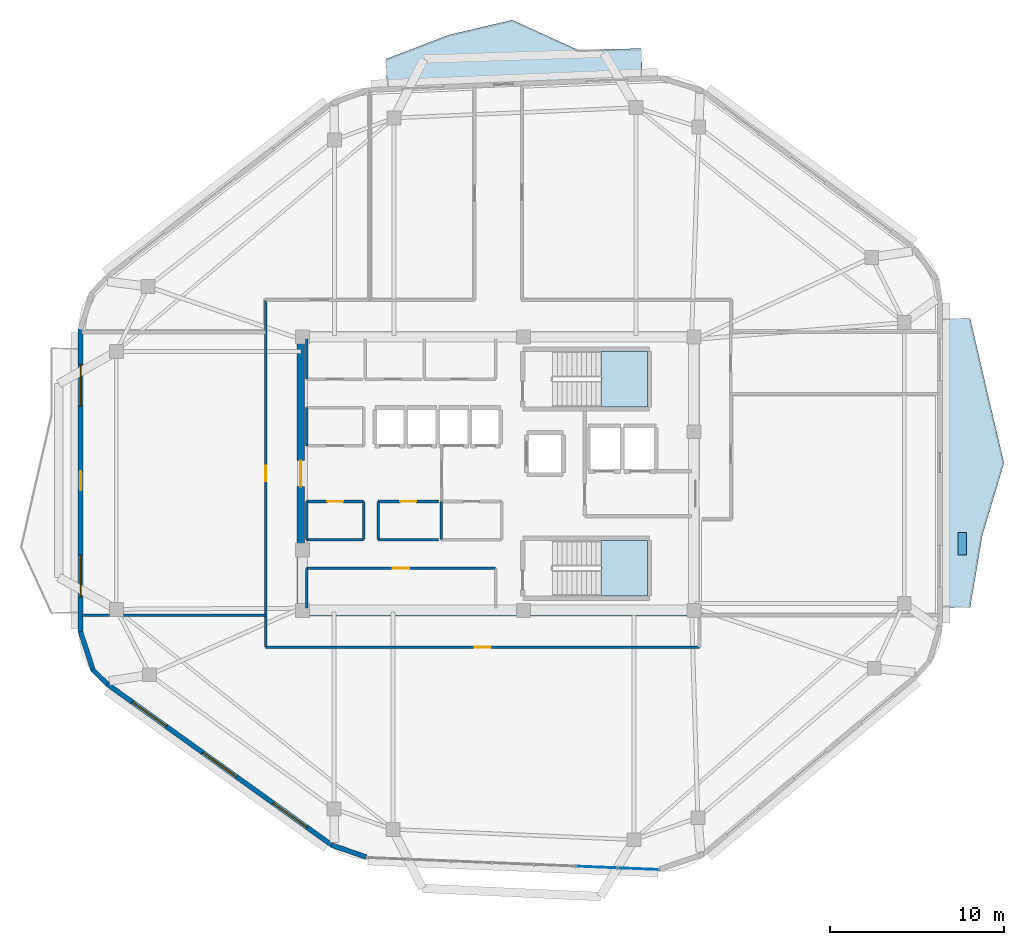
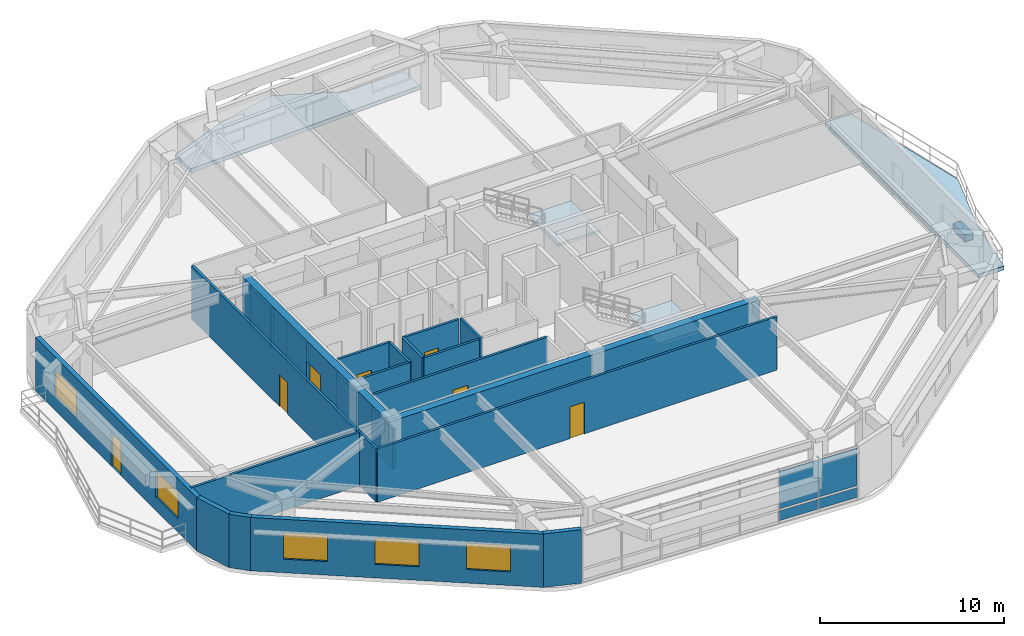
# One storey, part 7 of 13: 22 walls, 7 doors, 5 plates, 5 windows, 4 slabs, 12 openings, 3 elements without a shape of their own.
"""IFC4 building model written with IfcOpenShell, lengths in metres."""

from ifc_helpers import new_model, si_unit, direction, frame, frame_2d, origin, origin_2d, place, context, subcontext, project, spatial, polyline, rectangle, outline, extrude, material, layer, layer_set, type_object, element, fill, aggregate, save


model = new_model("IFC4")

# Units and contexts
model_context = context("Model", 3, precision=1e-05, world=origin(), true_north=direction((0.0, 1.0)))
body_context = subcontext(model_context, "Body", "Model", "MODEL_VIEW")
ifc_project = project(units=[si_unit("LENGTHUNIT", "METRE"), si_unit("AREAUNIT", "SQUARE_METRE"), si_unit("VOLUMEUNIT", "CUBIC_METRE"), si_unit("PLANEANGLEUNIT", "RADIAN"), si_unit("MASSUNIT", "GRAM", prefix="KILO")], contexts=[model_context])

# Site, building, storey
site_placement = place(None, origin())
site = spatial("IfcSite", under=ifc_project, at=site_placement, CompositionType="ELEMENT")
building_placement = place(site_placement, origin())
building = spatial("IfcBuilding", under=site, at=building_placement, Name="Zulverin Broadcast Headquarters", CompositionType="ELEMENT")
storey_placement = place(building_placement, frame((0.0, 0.0, 278.199951171875)))
storey = spatial("IfcBuildingStorey", under=building, at=storey_placement, Name="L71", CompositionType="ELEMENT", Elevation=278.199951171875)

# Curtain wall, plates
ifc_material_1 = material(Name="High-zone solar-control unitised curtain wall", Category="aluminium")
curtain_wall_type = type_object("IfcCurtainWallType", Name="CW-TWR-UPP", PredefinedType="USERDEFINED", material=ifc_material_1)
curtain_wall_placement = place(storey_placement, origin())
curtain_wall = element("IfcCurtainWall", 1, at=curtain_wall_placement, inside=storey, type_object=curtain_wall_type, Name="L71 Unitised Curtain Wall CW-L71-E1", ObjectType="UNITISED CURTAIN WALL", PredefinedType="USERDEFINED")
ifc_material_2 = material(Name="Low-E double-glazed pale-silver vision glass", Category="glass")
ifc_layer_1 = layer(ifc_material_2, 0.035888671875, Name="Low-E double-glazed pale-silver vision glass", Category="glass")
ifc_layer_set_1 = layer_set([ifc_layer_1], Name="Low-E double-glazed pale-silver vision glass")
plate_type_1 = type_object("IfcPlateType", Name="CW-PNL-GLZ", PredefinedType="CURTAIN_PANEL", material=ifc_layer_set_1)
plate_1_placement = place(storey_placement, frame((42.67626953125, 2.52880859375, 0.914794921875), z_axis=(0.0, 0.0, 1.0), x_axis=(0.99915627139, -0.041070005388, 0.0)))
plate_1 = element("IfcPlate", 2, at=plate_1_placement, type_object=plate_type_1, Name="CW-L71-E1 Vision Panel 05", PredefinedType="CURTAIN_PANEL", context=body_context, shape_type="SweptSolid", body=[
    extrude(rectangle(XDim=2.370849609375, YDim=0.035888671875, at=origin_2d()), origin(), (0.0, 0.0, 1.0), 2.4853515625),
])
plate_2_placement = place(storey_placement, frame((45.0849609375, 2.4296875, 0.914794921875), z_axis=(0.0, 0.0, 1.0), x_axis=(0.99915627139, -0.041070005388, 0.0)))
plate_2 = element("IfcPlate", 3, at=plate_2_placement, type_object=plate_type_1, Name="CW-L71-E1 Vision Panel 06", PredefinedType="CURTAIN_PANEL", context=body_context, shape_type="SweptSolid", body=[
    extrude(rectangle(XDim=2.370849609375, YDim=0.035888671875, at=origin_2d()), origin(), (0.0, 0.0, 1.0), 2.4853515625),
])
ifc_material_3 = material(Name="Insulated brushed pale-aluminium spandrel cassette", Category="aluminium")
ifc_layer_2 = layer(ifc_material_3, 0.050048828125, Name="Insulated brushed pale-aluminium spandrel cassette", Category="aluminium")
ifc_layer_set_2 = layer_set([ifc_layer_2], Name="Insulated brushed pale-aluminium spandrel cassette")
plate_type_2 = type_object("IfcPlateType", Name="CW-PNL-SPN", PredefinedType="CURTAIN_PANEL", material=ifc_layer_set_2)
plate_3_placement = place(storey_placement, frame((42.67626953125, 2.52880859375, 0.14013671875), z_axis=(0.0, 0.0, 1.0), x_axis=(0.99915627139, -0.041070005388, 0.0)))
plate_3 = element("IfcPlate", 4, at=plate_3_placement, type_object=plate_type_2, Name="CW-L71-E1 Spandrel Cassette 05", PredefinedType="CURTAIN_PANEL", context=body_context, shape_type="SweptSolid", body=[
    extrude(rectangle(XDim=2.370849609375, YDim=0.050048828125, at=origin_2d()), origin(), (0.0, 0.0, 1.0), 0.64453125),
])
plate_4_placement = place(storey_placement, frame((45.0849609375, 2.4296875, 0.14013671875), z_axis=(0.0, 0.0, 1.0), x_axis=(0.99915627139, -0.041070005388, 0.0)))
plate_4 = element("IfcPlate", 5, at=plate_4_placement, type_object=plate_type_2, Name="CW-L71-E1 Spandrel Cassette 06", PredefinedType="CURTAIN_PANEL", context=body_context, shape_type="SweptSolid", body=[
    extrude(rectangle(XDim=2.370849609375, YDim=0.050048828125, at=origin_2d()), origin(), (0.0, 0.0, 1.0), 0.64453125),
])
aggregate(curtain_wall, [plate_3, plate_1, plate_4, plate_2])

# Plate
ifc_material_4 = material(Name="Precast concrete C45/55", Category="concrete")
ifc_layer_3 = layer(ifc_material_4, 0.449951171875, Name="Precast concrete C45/55", Category="concrete")
ifc_layer_set_3 = layer_set([ifc_layer_3], Name="Precast concrete C45/55")
plate_type_3 = type_object("IfcPlateType", Name="PT-01_PRECAST_GFRC_TREE_PLANTER", PredefinedType="USERDEFINED", material=ifc_layer_set_3)
plate_5_placement = place(storey_placement, frame((63.75, 21.159423828125, -0.0048828125), z_axis=(0.0, 0.0, 1.0), x_axis=(0.0, 1.0, 0.0)))
element("IfcPlate", 6, at=plate_5_placement, inside=storey, type_object=plate_type_3, Name="L71 Precast GFRC Tree Planter BAL_E", ObjectType="PLANTER", PredefinedType="USERDEFINED", context=body_context, shape_type="SweptSolid", body=[
    extrude(rectangle(XDim=1.300048828125, YDim=0.5, at=origin_2d()), origin(), (0.0, 0.0, 1.0), 0.449951171875),
])

# Slabs
ifc_material_5 = material(Name="Concrete C40/50", Category="concrete")
ifc_layer_4 = layer(ifc_material_5, 0.260009765625, Name="Concrete C40/50", Category="concrete")
ifc_layer_set_4 = layer_set([ifc_layer_4], Name="Concrete C40/50")
slab_type_1 = type_object("IfcSlabType", Name="SLB-BAL-260", PredefinedType="FLOOR", material=ifc_layer_set_4)
slab_1_placement = place(storey_placement, frame((0.0, 0.0, -0.260009765625)))
element("IfcSlab", 7, at=slab_1_placement, inside=storey, type_object=slab_type_1, Name="L71 Cantilevered Planted Balcony Slab BAL_E", PredefinedType="FLOOR", context=body_context, shape_type="SweptSolid", body=[
    extrude(outline(polyline([(62.60009765625, 34.150146484375), (62.60009765625, 17.49560546875), (64.199951171875, 17.49560546875), (64.904052734375, 21.6591796875), (66.14990234375, 25.82275390625), (65.166748046875, 29.986328125), (64.199951171875, 34.150146484375), (62.60009765625, 34.150146484375)])), origin(), (0.0, 0.0, 1.0), 0.260009765625),
])
slab_2_placement = place(storey_placement, frame((0.0, 0.0, -0.260009765625)))
element("IfcSlab", 8, at=slab_2_placement, inside=storey, type_object=slab_type_1, Name="L71 Cantilevered Planted Balcony Slab BAL_N", PredefinedType="FLOOR", context=body_context, shape_type="SweptSolid", body=[
    extrude(outline(polyline([(30.598388671875, 47.4951171875), (45.308837890625, 48.099609375), (45.2431640625, 49.6982421875), (41.56201171875, 49.636474609375), (37.807861328125, 51.34423828125), (34.1591796875, 50.482421875), (30.532470703125, 49.093505859375), (30.598388671875, 47.4951171875)])), origin(), (0.0, 0.0, 1.0), 0.260009765625),
])

# Stair, slab
stair_type = type_object("IfcStairType", Name="ST-CORE-1500", PredefinedType="HALF_TURN_STAIR", material=ifc_material_5)
stair_1_placement = place(storey_placement, origin())
stair_1 = element("IfcStair", 9, at=stair_1_placement, inside=storey, type_object=stair_type, Name="L71 Core Exit Stair ST-1", PredefinedType="HALF_TURN_STAIR")
ifc_layer_5 = layer(ifc_material_5, 0.199951171875, Name="Concrete C40/50", Category="concrete")
ifc_layer_set_5 = layer_set([ifc_layer_5], Name="Concrete C40/50")
slab_type_2 = type_object("IfcSlabType", Name="SLB-ST-LND200", PredefinedType="LANDING", material=ifc_layer_set_5)
slab_3_placement = place(storey_placement, frame((0.0, 0.0, 1.699951171875)))
slab_3 = element("IfcSlab", 10, at=slab_3_placement, type_object=slab_type_2, Name="ST-1 landing 1", PredefinedType="LANDING", context=body_context, shape_type="SweptSolid", body=[
    extrude(outline(polyline([(42.929931640625, 29.050048828125), (45.60009765625, 29.050048828125), (45.60009765625, 32.25), (42.929931640625, 32.25), (42.929931640625, 29.050048828125)])), origin(), (0.0, 0.0, 1.0), 0.2001953125),
])
aggregate(stair_1, [slab_3])

stair_2_placement = place(storey_placement, origin())
stair_2 = element("IfcStair", 11, at=stair_2_placement, inside=storey, type_object=stair_type, Name="L71 Core Exit Stair ST-2", PredefinedType="HALF_TURN_STAIR")
slab_4_placement = place(storey_placement, frame((0.0, 0.0, 1.699951171875)))
slab_4 = element("IfcSlab", 12, at=slab_4_placement, type_object=slab_type_2, Name="ST-2 landing 1", PredefinedType="LANDING", context=body_context, shape_type="SweptSolid", body=[
    extrude(outline(polyline([(42.929931640625, 18.14990234375), (45.60009765625, 18.14990234375), (45.60009765625, 21.35009765625), (42.929931640625, 21.35009765625), (42.929931640625, 18.14990234375)])), origin(), (0.0, 0.0, 1.0), 0.2001953125),
])
aggregate(stair_2, [slab_4])

# Wall
ifc_material_6 = material(Name="Concrete C50/60", Category="concrete")
ifc_layer_6 = layer(ifc_material_6, 0.449951171875, Name="Concrete C50/60", Category="concrete")
ifc_layer_set_6 = layer_set([ifc_layer_6], Name="Concrete C50/60")
wall_type_1 = type_object("IfcWallType", Name="WL-CORE-450", PredefinedType="SHEAR", material=ifc_layer_set_6)
wall_1_placement = place(storey_placement, frame((25.39990234375, 17.22509765625, 0.0), z_axis=(0.0, 0.0, 1.0), x_axis=(1.0, 0.0, 0.0)))
element("IfcWall", 13, at=wall_1_placement, inside=storey, type_object=wall_type_1, Name="L71 Core South Shear Wall", PredefinedType="SHEAR", context=body_context, shape_type="SweptSolid", body=[
    extrude(rectangle(XDim=23.2001953125, YDim=0.449951171875, at=frame_2d((11.60009765625, 0.0))), origin(), (0.0, 0.0, 1.0), 3.5400390625),
])

# Wall, opening, door
wall_2_placement = place(storey_placement, frame((25.625, 17.449951171875, 0.0), z_axis=(0.0, 0.0, 1.0), x_axis=(0.0, 1.0, 0.0)))
wall_2 = element("IfcWall", 14, at=wall_2_placement, inside=storey, type_object=wall_type_1, Name="L71 Core West Shear Wall", PredefinedType="SHEAR", context=body_context, shape_type="SweptSolid", body=[
    extrude(rectangle(XDim=15.5, YDim=0.449951171875, at=frame_2d((7.75, 0.0))), origin(), (0.0, 0.0, 1.0), 3.5400390625),
])
opening_1_placement = place(wall_2_placement, frame((7.0, 0.0, 0.0)))
opening_1 = element("IfcOpeningElement", 15, at=opening_1_placement, cuts=wall_2, Name="Opening D-L71-CW1", PredefinedType="OPENING", context=body_context, shape_type="SweptSolid", body=[
    extrude(rectangle(XDim=1.5, YDim=2.14990234375, at=frame_2d((0.75, 1.074951171875))), frame((0.0, 0.23486328125, 0.0), z_axis=(0.0, -1.0, 0.0), x_axis=(1.0, 0.0, 0.0)), (0.0, 0.0, 1.0), 0.469970703125),
])
ifc_material_7 = material(Name="Fire-rated glazed steel frame", Category="steel")
door_type_1 = type_object("IfcDoorType", Name="DR-COR-1500", OperationType="DOUBLE_DOOR_SINGLE_SWING", PredefinedType="DOOR", material=ifc_material_7)
door_1_placement = place(opening_1_placement, origin())
door_1 = element("IfcDoor", 16, at=door_1_placement, inside=storey, type_object=door_type_1, Name="L71 Central Lift Lobby West Portal Door", OperationType="DOUBLE_DOOR_SINGLE_SWING", OverallHeight=2.14990234375, OverallWidth=1.5, PredefinedType="DOOR", context=body_context, shape_type="SweptSolid", body=[
    extrude(rectangle(XDim=1.5, YDim=2.14990234375, at=frame_2d((0.75, 1.074951171875))), frame((0.0, 0.02490234375, 0.0), z_axis=(0.0, -1.0, 0.0), x_axis=(1.0, 0.0, 0.0)), (0.0, 0.0, 1.0), 0.050048828125),
])
fill(opening_1, door_1)

# Wall, openings, door, windows
ifc_material_8 = material(Name="Insulated pale-metal clad concrete spandrel C40/50", Category="concrete")
ifc_layer_7 = layer(ifc_material_8, 0.280029296875, Name="Insulated pale-metal clad concrete spandrel C40/50", Category="concrete")
ifc_layer_set_7 = layer_set([ifc_layer_7], Name="Insulated pale-metal clad concrete spandrel C40/50")
wall_type_2 = type_object("IfcWallType", Name="WL-EXT-280", PredefinedType="STANDARD", material=ifc_layer_set_7)
wall_3_placement = place(storey_placement, frame((12.93994140625, 33.548095703125, 0.0), z_axis=(0.0, 0.0, 1.0), x_axis=(0.0, -1.0, 0.0)))
wall_3 = element("IfcWall", 17, at=wall_3_placement, inside=storey, type_object=wall_type_2, Name="L71 Pale-Metal Clad Spandrel Wall 7", PredefinedType="STANDARD", context=body_context, shape_type="SweptSolid", body=[
    extrude(rectangle(XDim=17.496337890625, YDim=0.280029296875, at=frame_2d((8.748046875, 0.0))), origin(), (0.0, 0.0, 1.0), 3.5400390625),
])
opening_2_placement = place(wall_3_placement, frame((8.1982421875, 0.0, 0.0)))
opening_2 = element("IfcOpeningElement", 18, at=opening_2_placement, cuts=wall_3, Name="Opening D-L71-TR7", PredefinedType="OPENING", context=body_context, shape_type="SweptSolid", body=[
    extrude(rectangle(XDim=1.10009765625, YDim=2.199951171875, at=frame_2d((0.550048828125, 1.10009765625))), frame((0.0, 0.14990234375, 0.0), z_axis=(0.0, -1.0, 0.0), x_axis=(1.0, 0.0, 0.0)), (0.0, 0.0, 1.0), 0.300048828125),
])
opening_3_placement = place(wall_3_placement, frame((2.04931640625, 0.0, 0.89990234375)))
opening_3 = element("IfcOpeningElement", 19, at=opening_3_placement, cuts=wall_3, Name="Opening W-L71-E71", PredefinedType="OPENING", context=body_context, shape_type="SweptSolid", body=[
    extrude(rectangle(XDim=2.39990234375, YDim=1.75, at=frame_2d((1.199951171875, 0.875))), frame((0.0, 0.14990234375, 0.0), z_axis=(0.0, -1.0, 0.0), x_axis=(1.0, 0.0, 0.0)), (0.0, 0.0, 1.0), 0.300048828125),
])
opening_4_placement = place(wall_3_placement, frame((13.046875, 0.0, 0.89990234375)))
opening_4 = element("IfcOpeningElement", 20, at=opening_4_placement, cuts=wall_3, Name="Opening W-L71-E72", PredefinedType="OPENING", context=body_context, shape_type="SweptSolid", body=[
    extrude(rectangle(XDim=2.39990234375, YDim=1.75, at=frame_2d((1.199951171875, 0.875))), frame((0.0, 0.14990234375, 0.0), z_axis=(0.0, -1.0, 0.0), x_axis=(1.0, 0.0, 0.0)), (0.0, 0.0, 1.0), 0.300048828125),
])
ifc_material_9 = material(Name="Thermally broken aluminium glazed", Category="aluminium")
door_type_2 = type_object("IfcDoorType", Name="DR-TERR-1100", OperationType="SINGLE_SWING_RIGHT", PredefinedType="DOOR", material=ifc_material_9)
door_2_placement = place(opening_2_placement, origin())
door_2 = element("IfcDoor", 21, at=door_2_placement, inside=storey, type_object=door_type_2, Name="L71 Planted Terrace Glazed Access Door 7", OperationType="SINGLE_SWING_RIGHT", OverallHeight=2.199951171875, OverallWidth=1.10009765625, PredefinedType="DOOR", context=body_context, shape_type="SweptSolid", body=[
    extrude(rectangle(XDim=1.10009765625, YDim=2.199951171875, at=frame_2d((0.550048828125, 1.10009765625))), frame((0.0, 0.02490234375, 0.0), z_axis=(0.0, -1.0, 0.0), x_axis=(1.0, 0.0, 0.0)), (0.0, 0.0, 1.0), 0.050048828125),
])
fill(opening_2, door_2)
ifc_material_10 = material(Name="Pale anodized aluminium frame with solar-control low-E double glazing", Category="aluminium")
window_type = type_object("IfcWindowType", Name="WIN-RIB-2400", PartitioningType="SINGLE_PANEL", PredefinedType="WINDOW", material=ifc_material_10)
window_1_placement = place(opening_3_placement, origin())
window_1 = element("IfcWindow", 22, at=window_1_placement, inside=storey, type_object=window_type, Name="L71 Ribbon Glazing Window 7 1", OverallHeight=1.75, OverallWidth=2.39990234375, PartitioningType="SINGLE_PANEL", PredefinedType="WINDOW", context=body_context, shape_type="SweptSolid", body=[
    extrude(rectangle(XDim=2.39990234375, YDim=1.75, at=frame_2d((1.199951171875, 0.875))), frame((0.0, 0.030029296875, 0.0), z_axis=(0.0, -1.0, 0.0), x_axis=(1.0, 0.0, 0.0)), (0.0, 0.0, 1.0), 0.06005859375),
])
fill(opening_3, window_1)
window_2_placement = place(opening_4_placement, origin())
window_2 = element("IfcWindow", 23, at=window_2_placement, inside=storey, type_object=window_type, Name="L71 Ribbon Glazing Window 7 2", OverallHeight=1.75, OverallWidth=2.39990234375, PartitioningType="SINGLE_PANEL", PredefinedType="WINDOW", context=body_context, shape_type="SweptSolid", body=[
    extrude(rectangle(XDim=2.39990234375, YDim=1.75, at=frame_2d((1.199951171875, 0.875))), frame((0.0, 0.030029296875, 0.0), z_axis=(0.0, -1.0, 0.0), x_axis=(1.0, 0.0, 0.0)), (0.0, 0.0, 1.0), 0.06005859375),
])
fill(opening_4, window_2)

# Wall, openings, windows
wall_4_placement = place(storey_placement, frame((14.468017578125, 13.076904296875, 0.0), z_axis=(0.0, 0.0, 1.0), x_axis=(0.812809888039, -0.582529042972, 0.0)))
wall_4 = element("IfcWall", 24, at=wall_4_placement, inside=storey, type_object=wall_type_2, Name="L71 Pale-Metal Clad Spandrel Wall 8", PredefinedType="STANDARD", context=body_context, shape_type="SweptSolid", body=[
    extrude(rectangle(XDim=15.967529296875, YDim=0.280029296875, at=frame_2d((7.98388671875, 0.0))), origin(), (0.0, 0.0, 1.0), 3.5400390625),
])
opening_5_placement = place(wall_4_placement, frame((1.794677734375, 0.0, 0.89990234375)))
opening_5 = element("IfcOpeningElement", 25, at=opening_5_placement, cuts=wall_4, Name="Opening W-L71-E81", PredefinedType="OPENING", context=body_context, shape_type="SweptSolid", body=[
    extrude(rectangle(XDim=2.39990234375, YDim=1.75, at=frame_2d((1.199951171875, 0.875))), frame((0.0, 0.14990234375, 0.0), z_axis=(0.0, -1.0, 0.0), x_axis=(1.0, 0.0, 0.0)), (0.0, 0.0, 1.0), 0.300048828125),
])
opening_6_placement = place(wall_4_placement, frame((6.78369140625, 0.0, 0.89990234375)))
opening_6 = element("IfcOpeningElement", 26, at=opening_6_placement, cuts=wall_4, Name="Opening W-L71-E82", PredefinedType="OPENING", context=body_context, shape_type="SweptSolid", body=[
    extrude(rectangle(XDim=2.39990234375, YDim=1.75, at=frame_2d((1.199951171875, 0.875))), frame((0.0, 0.14990234375, 0.0), z_axis=(0.0, -1.0, 0.0), x_axis=(1.0, 0.0, 0.0)), (0.0, 0.0, 1.0), 0.300048828125),
])
opening_7_placement = place(wall_4_placement, frame((11.77294921875, 0.0, 0.89990234375)))
opening_7 = element("IfcOpeningElement", 27, at=opening_7_placement, cuts=wall_4, Name="Opening W-L71-E83", PredefinedType="OPENING", context=body_context, shape_type="SweptSolid", body=[
    extrude(rectangle(XDim=2.39990234375, YDim=1.75, at=frame_2d((1.199951171875, 0.875))), frame((0.0, 0.14990234375, 0.0), z_axis=(0.0, -1.0, 0.0), x_axis=(1.0, 0.0, 0.0)), (0.0, 0.0, 1.0), 0.300048828125),
])
window_3_placement = place(opening_5_placement, origin())
window_3 = element("IfcWindow", 28, at=window_3_placement, inside=storey, type_object=window_type, Name="L71 Ribbon Glazing Window 8 1", OverallHeight=1.75, OverallWidth=2.39990234375, PartitioningType="SINGLE_PANEL", PredefinedType="WINDOW", context=body_context, shape_type="SweptSolid", body=[
    extrude(rectangle(XDim=2.39990234375, YDim=1.75, at=frame_2d((1.199951171875, 0.875))), frame((0.0, 0.030029296875, 0.0), z_axis=(0.0, -1.0, 0.0), x_axis=(1.0, 0.0, 0.0)), (0.0, 0.0, 1.0), 0.06005859375),
])
fill(opening_5, window_3)
window_4_placement = place(opening_6_placement, origin())
window_4 = element("IfcWindow", 29, at=window_4_placement, inside=storey, type_object=window_type, Name="L71 Ribbon Glazing Window 8 2", OverallHeight=1.75, OverallWidth=2.39990234375, PartitioningType="SINGLE_PANEL", PredefinedType="WINDOW", context=body_context, shape_type="SweptSolid", body=[
    extrude(rectangle(XDim=2.39990234375, YDim=1.75, at=frame_2d((1.199951171875, 0.875))), frame((0.0, 0.030029296875, 0.0), z_axis=(0.0, -1.0, 0.0), x_axis=(1.0, 0.0, 0.0)), (0.0, 0.0, 1.0), 0.06005859375),
])
fill(opening_6, window_4)
window_5_placement = place(opening_7_placement, origin())
window_5 = element("IfcWindow", 30, at=window_5_placement, inside=storey, type_object=window_type, Name="L71 Ribbon Glazing Window 8 3", OverallHeight=1.75, OverallWidth=2.39990234375, PartitioningType="SINGLE_PANEL", PredefinedType="WINDOW", context=body_context, shape_type="SweptSolid", body=[
    extrude(rectangle(XDim=2.39990234375, YDim=1.75, at=frame_2d((1.199951171875, 0.875))), frame((0.0, 0.030029296875, 0.0), z_axis=(0.0, -1.0, 0.0), x_axis=(1.0, 0.0, 0.0)), (0.0, 0.0, 1.0), 0.06005859375),
])
fill(opening_7, window_5)

# Walls
wall_5_placement = place(storey_placement, frame((12.93310546875, 16.09521484375, 0.0), z_axis=(0.0, 0.0, 1.0), x_axis=(0.3110492363, -0.950393798695, 0.0)))
element("IfcWall", 31, at=wall_5_placement, inside=storey, type_object=wall_type_2, Name="L71 Wind-Shaped Corner Spandrel Wall 7-1", PredefinedType="STANDARD", context=body_context, shape_type="SweptSolid", body=[
    extrude(rectangle(XDim=2.364013671875, YDim=0.280029296875, at=frame_2d((1.18212890625, 0.0))), origin(), (0.0, 0.0, 1.0), 3.5400390625),
])
wall_6_placement = place(storey_placement, frame((13.6337890625, 13.904296875, 0.0), z_axis=(0.0, 0.0, 1.0), x_axis=(0.710971221429, -0.703221104845, 0.0)))
element("IfcWall", 32, at=wall_6_placement, inside=storey, type_object=wall_type_2, Name="L71 Wind-Shaped Corner Spandrel Wall 7-2", PredefinedType="STANDARD", context=body_context, shape_type="SweptSolid", body=[
    extrude(rectangle(XDim=1.197021484375, YDim=0.280029296875, at=frame_2d((0.5986328125, 0.0))), origin(), (0.0, 0.0, 1.0), 3.5400390625),
])
wall_7_placement = place(storey_placement, frame((27.41064453125, 3.7939453125, 0.0), z_axis=(0.0, 0.0, 1.0), x_axis=(0.945562091627, -0.325441747289, 0.0)))
element("IfcWall", 33, at=wall_7_placement, inside=storey, type_object=wall_type_2, Name="L71 Wind-Shaped Corner Spandrel Wall 8-1", PredefinedType="STANDARD", context=body_context, shape_type="SweptSolid", body=[
    extrude(rectangle(XDim=2.111083984375, YDim=0.280029296875, at=frame_2d((1.0556640625, 0.0))), origin(), (0.0, 0.0, 1.0), 3.5400390625),
])
ifc_material_11 = material(Name="Fire-rated gypsum stud partition", Category="gypsum")
ifc_layer_8 = layer(ifc_material_11, 0.14990234375, Name="Fire-rated gypsum stud partition", Category="gypsum")
ifc_layer_set_8 = layer_set([ifc_layer_8], Name="Fire-rated gypsum stud partition")
wall_type_3 = type_object("IfcWallType", Name="WL-PART-150", PredefinedType="PARTITIONING", material=ifc_layer_set_8)
wall_8_placement = place(storey_placement, frame((25.969970703125, 30.64990234375, 0.0), z_axis=(0.0, 0.0, 1.0), x_axis=(0.0, 1.0, 0.0)))
element("IfcWall", 34, at=wall_8_placement, inside=storey, type_object=wall_type_3, Name="L71 Core Accessible WC West Wall", PredefinedType="PARTITIONING", context=body_context, shape_type="SweptSolid", body=[
    extrude(rectangle(XDim=2.300048828125, YDim=0.14990234375, at=frame_2d((1.14990234375, 0.0))), origin(), (0.0, 0.0, 1.0), 2.64013671875),
])

# Wall, opening, door
wall_9_placement = place(storey_placement, frame((25.969970703125, 19.75, 0.0), z_axis=(0.0, 0.0, 1.0), x_axis=(1.0, 0.0, 0.0)))
wall_9 = element("IfcWall", 35, at=wall_9_placement, inside=storey, type_object=wall_type_3, Name="L71 Core Female WC & Facilities Room Front Wall", PredefinedType="PARTITIONING", context=body_context, shape_type="SweptSolid", body=[
    extrude(rectangle(XDim=10.880126953125, YDim=0.14990234375, at=frame_2d((5.43994140625, 0.0))), origin(), (0.0, 0.0, 1.0), 3.5400390625),
])
opening_8_placement = place(wall_9_placement, frame((4.965087890625, 0.0, 0.0)))
opening_8 = element("IfcOpeningElement", 36, at=opening_8_placement, cuts=wall_9, Name="Opening D-L71-SC1", PredefinedType="OPENING", context=body_context, shape_type="SweptSolid", body=[
    extrude(rectangle(XDim=0.949951171875, YDim=2.10009765625, at=frame_2d((0.47509765625, 1.050048828125))), frame((0.0, 0.0849609375, 0.0), z_axis=(0.0, -1.0, 0.0), x_axis=(1.0, 0.0, 0.0)), (0.0, 0.0, 1.0), 0.169921875),
])
ifc_material_12 = material(Name="Fire-rated moisture-resistant laminate leaf", Category="wood")
door_type_3 = type_object("IfcDoorType", Name="DR-WC-950", OperationType="SINGLE_SWING_LEFT", PredefinedType="DOOR", material=ifc_material_12)
door_3_placement = place(opening_8_placement, origin())
door_3 = element("IfcDoor", 37, at=door_3_placement, inside=storey, type_object=door_type_3, Name="L71 Female WC & Facilities Room Door", OperationType="SINGLE_SWING_RIGHT", OverallHeight=2.10009765625, OverallWidth=0.949951171875, PredefinedType="DOOR", context=body_context, shape_type="SweptSolid", body=[
    extrude(rectangle(XDim=0.949951171875, YDim=2.10009765625, at=frame_2d((0.47509765625, 1.050048828125))), frame((0.0, 0.02490234375, 0.0), z_axis=(0.0, -1.0, 0.0), x_axis=(1.0, 0.0, 0.0)), (0.0, 0.0, 1.0), 0.050048828125),
])
fill(opening_8, door_3)

# Walls
wall_10_placement = place(storey_placement, frame((25.969970703125, 17.449951171875, 0.0), z_axis=(0.0, 0.0, 1.0), x_axis=(0.0, 1.0, 0.0)))
element("IfcWall", 38, at=wall_10_placement, inside=storey, type_object=wall_type_3, Name="L71 Core Female WC & Facilities Room West Wall", PredefinedType="PARTITIONING", context=body_context, shape_type="SweptSolid", body=[
    extrude(rectangle(XDim=2.300048828125, YDim=0.14990234375, at=frame_2d((1.14990234375, 0.0))), origin(), (0.0, 0.0, 1.0), 2.64013671875),
])
wall_11_placement = place(storey_placement, frame((25.969970703125, 26.800048828125, 0.0), z_axis=(0.0, 0.0, 1.0), x_axis=(0.0, 1.0, 0.0)))
element("IfcWall", 39, at=wall_11_placement, inside=storey, type_object=wall_type_3, Name="L71 Core UPS Battery Store W Wall", PredefinedType="PARTITIONING", context=body_context, shape_type="SweptSolid", body=[
    extrude(rectangle(XDim=2.199951171875, YDim=0.14990234375, at=frame_2d((1.10009765625, 0.0))), origin(), (0.0, 0.0, 1.0), 2.64013671875),
])
wall_12_placement = place(storey_placement, frame((25.969970703125, 21.39990234375, 0.0), z_axis=(0.0, 0.0, 1.0), x_axis=(1.0, 0.0, 0.0)))
element("IfcWall", 40, at=wall_12_placement, inside=storey, type_object=wall_type_3, Name="L71 Media Ingestion Server Room S Wall", PredefinedType="PARTITIONING", context=body_context, shape_type="SweptSolid", body=[
    extrude(rectangle(XDim=3.280029296875, YDim=0.14990234375, at=frame_2d((1.64013671875, 0.0))), origin(), (0.0, 0.0, 1.0), 3.5400390625),
])

# Wall, opening, door
wall_13_placement = place(storey_placement, frame((25.969970703125, 23.60009765625, 0.0), z_axis=(0.0, 0.0, 1.0), x_axis=(1.0, 0.0, 0.0)))
wall_13 = element("IfcWall", 41, at=wall_13_placement, inside=storey, type_object=wall_type_3, Name="L71 Media Ingestion Server Room N Wall", PredefinedType="PARTITIONING", context=body_context, shape_type="SweptSolid", body=[
    extrude(rectangle(XDim=3.280029296875, YDim=0.14990234375, at=frame_2d((1.64013671875, 0.0))), origin(), (0.0, 0.0, 1.0), 3.5400390625),
])
opening_9_placement = place(wall_13_placement, frame((1.18994140625, 0.0, 0.0)))
opening_9 = element("IfcOpeningElement", 42, at=opening_9_placement, cuts=wall_13, Name="Opening D-L71-RCLS", PredefinedType="OPENING", context=body_context, shape_type="SweptSolid", body=[
    extrude(rectangle(XDim=0.89990234375, YDim=2.10009765625, at=frame_2d((0.449951171875, 1.050048828125))), frame((0.0, 0.0849609375, 0.0), z_axis=(0.0, -1.0, 0.0), x_axis=(1.0, 0.0, 0.0)), (0.0, 0.0, 1.0), 0.169921875),
])
ifc_material_13 = material(Name="Powder-coated steel access leaf", Category="steel")
door_type_4 = type_object("IfcDoorType", Name="DR-RISER-900", OperationType="SINGLE_SWING_LEFT", PredefinedType="DOOR", material=ifc_material_13)
door_4_placement = place(opening_9_placement, origin())
door_4 = element("IfcDoor", 43, at=door_4_placement, inside=storey, type_object=door_type_4, Name="L71 Media Ingestion Server Room Door", OperationType="SINGLE_SWING_RIGHT", OverallHeight=2.10009765625, OverallWidth=0.89990234375, PredefinedType="DOOR", context=body_context, shape_type="SweptSolid", body=[
    extrude(rectangle(XDim=0.89990234375, YDim=2.10009765625, at=frame_2d((0.449951171875, 1.050048828125))), frame((0.0, 0.02490234375, 0.0), z_axis=(0.0, -1.0, 0.0), x_axis=(1.0, 0.0, 0.0)), (0.0, 0.0, 1.0), 0.050048828125),
])
fill(opening_9, door_4)

# Walls
wall_14_placement = place(storey_placement, frame((25.969970703125, 21.39990234375, 0.0), z_axis=(0.0, 0.0, 1.0), x_axis=(0.0, 1.0, 0.0)))
element("IfcWall", 44, at=wall_14_placement, inside=storey, type_object=wall_type_3, Name="L71 Media Ingestion Server Room W Wall", PredefinedType="PARTITIONING", context=body_context, shape_type="SweptSolid", body=[
    extrude(rectangle(XDim=2.2001953125, YDim=0.14990234375, at=frame_2d((1.10009765625, 0.0))), origin(), (0.0, 0.0, 1.0), 2.64013671875),
])
wall_15_placement = place(storey_placement, frame((29.25, 21.39990234375, 0.0), z_axis=(0.0, 0.0, 1.0), x_axis=(0.0, 1.0, 0.0)))
element("IfcWall", 45, at=wall_15_placement, inside=storey, type_object=wall_type_3, Name="L71 Media Ingestion Server Room E Wall", PredefinedType="PARTITIONING", context=body_context, shape_type="SweptSolid", body=[
    extrude(rectangle(XDim=2.2001953125, YDim=0.14990234375, at=frame_2d((1.10009765625, 0.0))), origin(), (0.0, 0.0, 1.0), 3.5400390625),
])
wall_16_placement = place(storey_placement, frame((30.080078125, 21.39990234375, 0.0), z_axis=(0.0, 0.0, 1.0), x_axis=(1.0, 0.0, 0.0)))
element("IfcWall", 46, at=wall_16_placement, inside=storey, type_object=wall_type_3, Name="L71 High-Zone Archive Vault Store S Wall", PredefinedType="PARTITIONING", context=body_context, shape_type="SweptSolid", body=[
    extrude(rectangle(XDim=3.47998046875, YDim=0.14990234375, at=frame_2d((1.739990234375, 0.0))), origin(), (0.0, 0.0, 1.0), 3.5400390625),
])

# Wall, opening, door
wall_17_placement = place(storey_placement, frame((30.080078125, 23.60009765625, 0.0), z_axis=(0.0, 0.0, 1.0), x_axis=(1.0, 0.0, 0.0)))
wall_17 = element("IfcWall", 47, at=wall_17_placement, inside=storey, type_object=wall_type_3, Name="L71 High-Zone Archive Vault Store N Wall", PredefinedType="PARTITIONING", context=body_context, shape_type="SweptSolid", body=[
    extrude(rectangle(XDim=3.47998046875, YDim=0.14990234375, at=frame_2d((1.739990234375, 0.0))), origin(), (0.0, 0.0, 1.0), 3.5400390625),
])
opening_10_placement = place(wall_17_placement, frame((1.2900390625, 0.0, 0.0)))
opening_10 = element("IfcOpeningElement", 48, at=opening_10_placement, cuts=wall_17, Name="Opening D-L71-RM1", PredefinedType="OPENING", context=body_context, shape_type="SweptSolid", body=[
    extrude(rectangle(XDim=0.89990234375, YDim=2.10009765625, at=frame_2d((0.449951171875, 1.050048828125))), frame((0.0, 0.0849609375, 0.0), z_axis=(0.0, -1.0, 0.0), x_axis=(1.0, 0.0, 0.0)), (0.0, 0.0, 1.0), 0.169921875),
])
door_5_placement = place(opening_10_placement, origin())
door_5 = element("IfcDoor", 49, at=door_5_placement, inside=storey, type_object=door_type_4, Name="L71 High-Zone Archive Vault Store Door", OperationType="SINGLE_SWING_LEFT", OverallHeight=2.10009765625, OverallWidth=0.89990234375, PredefinedType="DOOR", context=body_context, shape_type="SweptSolid", body=[
    extrude(rectangle(XDim=0.89990234375, YDim=2.10009765625, at=frame_2d((0.449951171875, 1.050048828125))), frame((0.0, 0.02490234375, 0.0), z_axis=(0.0, -1.0, 0.0), x_axis=(1.0, 0.0, 0.0)), (0.0, 0.0, 1.0), 0.050048828125),
])
fill(opening_10, door_5)

# Walls
for number, where, z_axis, x_axis, name in (
    (50, (30.080078125, 21.39990234375, 0.0), (0.0, 0.0, 1.0), (0.0, 1.0, 0.0), "L71 High-Zone Archive Vault Store W Wall"),
    (51, (33.719970703125, 21.39990234375, 0.0), (0.0, 0.0, 1.0), (0.0, 1.0, 0.0), "L71 Executive Floor Pantry Store W Wall"),
):
    element("IfcWall", number, at=place(storey_placement, frame(where, z_axis=z_axis, x_axis=x_axis)), inside=storey, type_object=wall_type_3, Name=name, PredefinedType="PARTITIONING", context=body_context, shape_type="SweptSolid", body=[
        extrude(rectangle(XDim=2.2001953125, YDim=0.14990234375, at=frame_2d((1.10009765625, 0.0))), origin(), (0.0, 0.0, 1.0), 3.5400390625),
    ])

# Wall, opening, door
wall_18_placement = place(storey_placement, frame((23.60009765625, 15.199951171875, 0.0), z_axis=(0.0, 0.0, 1.0), x_axis=(0.0, 1.0, 0.0)))
wall_18 = element("IfcWall", 52, at=wall_18_placement, inside=storey, type_object=wall_type_3, Name="L71 Gallery Partition Wall CG-06", PredefinedType="PARTITIONING", context=body_context, shape_type="SweptSolid", body=[
    extrude(rectangle(XDim=20.0, YDim=0.14990234375, at=frame_2d((10.0, 0.0))), origin(), (0.0, 0.0, 1.0), 3.5400390625),
])
opening_11_placement = place(wall_18_placement, frame((9.550048828125, 0.0, 0.0)))
opening_11 = element("IfcOpeningElement", 53, at=opening_11_placement, cuts=wall_18, Name="Opening D-L71-05", PredefinedType="OPENING", context=body_context, shape_type="SweptSolid", body=[
    extrude(rectangle(XDim=0.89990234375, YDim=2.10009765625, at=frame_2d((0.449951171875, 1.050048828125))), frame((0.0, 0.0849609375, 0.0), z_axis=(0.0, -1.0, 0.0), x_axis=(1.0, 0.0, 0.0)), (0.0, 0.0, 1.0), 0.169921875),
])
ifc_material_14 = material(Name="Fire-rated hardwood veneer timber leaf", Category="wood")
door_type_5 = type_object("IfcDoorType", Name="DR-ROOM-900", OperationType="SINGLE_SWING_RIGHT", PredefinedType="DOOR", material=ifc_material_14)
door_6_placement = place(opening_11_placement, origin())
door_6 = element("IfcDoor", 54, at=door_6_placement, inside=storey, type_object=door_type_5, Name="L71 High-Rise Sky Lobby Reception Door", OperationType="SINGLE_SWING_RIGHT", OverallHeight=2.10009765625, OverallWidth=0.89990234375, PredefinedType="DOOR", context=body_context, shape_type="SweptSolid", body=[
    extrude(rectangle(XDim=0.89990234375, YDim=2.10009765625, at=frame_2d((0.449951171875, 1.050048828125))), frame((0.0, 0.02490234375, 0.0), z_axis=(0.0, -1.0, 0.0), x_axis=(1.0, 0.0, 0.0)), (0.0, 0.0, 1.0), 0.050048828125),
])
fill(opening_11, door_6)

wall_19_placement = place(storey_placement, frame((23.60009765625, 15.199951171875, 0.0), z_axis=(0.0, 0.0, 1.0), x_axis=(1.0, 0.0, 0.0)))
wall_19 = element("IfcWall", 55, at=wall_19_placement, inside=storey, type_object=wall_type_3, Name="L71 Gallery Partition Wall CG-07", PredefinedType="PARTITIONING", context=body_context, shape_type="SweptSolid", body=[
    extrude(rectangle(XDim=25.0, YDim=0.14990234375, at=frame_2d((12.5, 0.0))), origin(), (0.0, 0.0, 1.0), 3.5400390625),
])
opening_12_placement = place(wall_19_placement, frame((12.050048828125, 0.0, 0.0)))
opening_12 = element("IfcOpeningElement", 56, at=opening_12_placement, cuts=wall_19, Name="Opening D-L71-04", PredefinedType="OPENING", context=body_context, shape_type="SweptSolid", body=[
    extrude(rectangle(XDim=0.89990234375, YDim=2.10009765625, at=frame_2d((0.449951171875, 1.050048828125))), frame((0.0, 0.0849609375, 0.0), z_axis=(0.0, -1.0, 0.0), x_axis=(1.0, 0.0, 0.0)), (0.0, 0.0, 1.0), 0.169921875),
])
door_7_placement = place(opening_12_placement, origin())
door_7 = element("IfcDoor", 57, at=door_7_placement, inside=storey, type_object=door_type_5, Name="L71 Servery Pantry Door", OperationType="SINGLE_SWING_LEFT", OverallHeight=2.10009765625, OverallWidth=0.89990234375, PredefinedType="DOOR", context=body_context, shape_type="SweptSolid", body=[
    extrude(rectangle(XDim=0.89990234375, YDim=2.10009765625, at=frame_2d((0.449951171875, 1.050048828125))), frame((0.0, 0.02490234375, 0.0), z_axis=(0.0, -1.0, 0.0), x_axis=(1.0, 0.0, 0.0)), (0.0, 0.0, 1.0), 0.050048828125),
])
fill(opening_12, door_7)

# Wall
wall_20_placement = place(storey_placement, frame((13.0048828125, 17.050048828125, 0.0), z_axis=(0.0, 0.0, 1.0), x_axis=(1.0, 0.0, 0.0)))
element("IfcWall", 58, at=wall_20_placement, inside=storey, type_object=wall_type_3, Name="L71 Room Partition Wall RP-08", PredefinedType="PARTITIONING", context=body_context, shape_type="SweptSolid", body=[
    extrude(rectangle(XDim=10.59521484375, YDim=0.14990234375, at=frame_2d((5.297607421875, 0.0))), origin(), (0.0, 0.0, 1.0), 3.5400390625),
])

save(model, "model.ifc")
